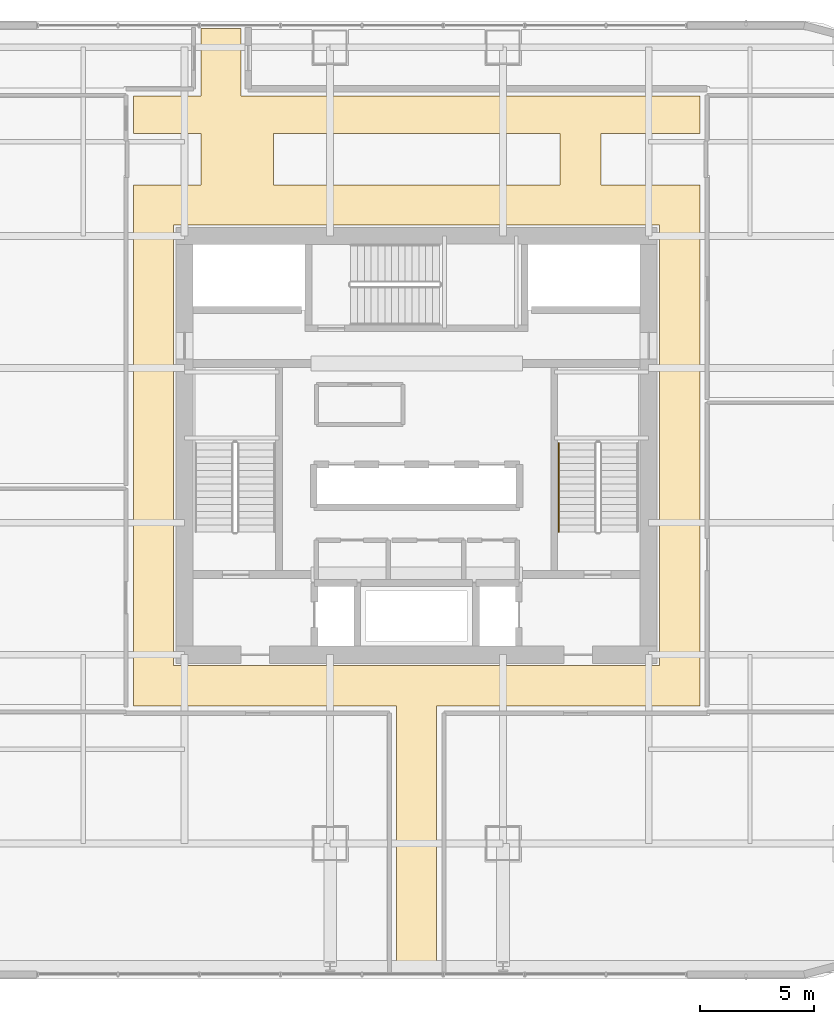
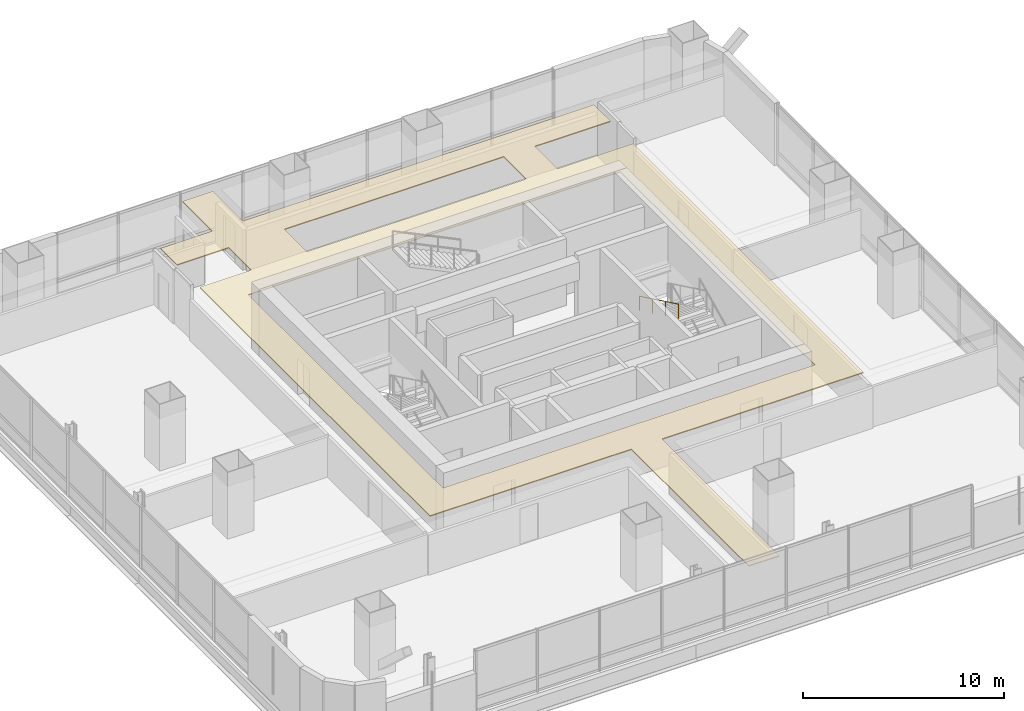
# One storey, part 37 of 45: 1 covering, 1 railing.
"""IFC4 building model written with IfcOpenShell, lengths in metres."""

from ifc_helpers import new_model, si_unit, direction, frame, origin, origin_2d, place, context, subcontext, project, spatial, polyline, circle, outline, extrude, material, layer, layer_set, type_object, element, save


model = new_model("IFC4")

# Units and contexts
model_context = context("Model", 3, precision=1e-05, world=origin(), true_north=direction((0.0, 1.0)))
body_context = subcontext(model_context, "Body", "Model", "MODEL_VIEW")
ifc_project = project(units=[si_unit("LENGTHUNIT", "METRE"), si_unit("AREAUNIT", "SQUARE_METRE"), si_unit("VOLUMEUNIT", "CUBIC_METRE"), si_unit("PLANEANGLEUNIT", "RADIAN"), si_unit("MASSUNIT", "GRAM", prefix="KILO")], contexts=[model_context])

# Site, building, storey
site_placement = place(None, origin())
site = spatial("IfcSite", under=ifc_project, at=site_placement, CompositionType="ELEMENT")
building_placement = place(site_placement, origin())
building = spatial("IfcBuilding", under=site, at=building_placement, Name="Punatoya Terracotta Tower", CompositionType="ELEMENT")
storey_placement = place(building_placement, frame((0.0, 0.0, 56.550048828125)))
storey = spatial("IfcBuildingStorey", under=building, at=storey_placement, Name="L12", CompositionType="ELEMENT", Elevation=56.550048828125)

# Covering
ifc_material_1 = material(Name="Acoustic Mineral Fibre Ceiling")
ifc_layer = layer(ifc_material_1, 0.06005859375)
ifc_layer_set = layer_set([ifc_layer], Name="Acoustic Mineral Fibre Ceiling")
covering_type = type_object("IfcCoveringType", Name="COV-CEIL-60", PredefinedType="CEILING", material=ifc_layer_set)
covering_placement = place(storey_placement, frame((0.0, 0.0, 3.199951171875)))
element("IfcCovering", 1, at=covering_placement, inside=storey, type_object=covering_type, Name="L12 Ring Circulation Corridor Acoustic Ceiling", PredefinedType="CEILING", context=body_context, shape_type="SweptSolid", body=[
    extrude(outline(polyline([(-0.8798828125, -11.449951171875), (-0.8798828125, -23.1298828125), (0.8798828125, -23.1298828125), (0.8798828125, -11.449951171875), (12.449951171875, -11.449951171875), (12.449951171875, 11.449951171875), (8.10009765625, 11.449951171875), (8.10009765625, 13.699951171875), (12.449951171875, 13.699951171875), (12.449951171875, 15.35009765625), (-7.719970703125, 15.35009765625), (-7.719970703125, 18.330078125), (-9.47998046875, 18.330078125), (-9.47998046875, 15.35009765625), (-12.449951171875, 15.35009765625), (-12.449951171875, 13.699951171875), (-9.47998046875, 13.699951171875), (-9.47998046875, 11.449951171875), (-12.449951171875, 11.449951171875), (-12.449951171875, -11.449951171875), (-0.8798828125, -11.449951171875)]), holes=[polyline([(10.679931640625, 9.679931640625), (10.679931640625, -9.679931640625), (-10.679931640625, -9.679931640625), (-10.679931640625, 9.679931640625), (10.679931640625, 9.679931640625)]), polyline([(6.300048828125, 11.449951171875), (-6.300048828125, 11.449951171875), (-6.300048828125, 13.699951171875), (6.300048828125, 13.699951171875), (6.300048828125, 11.449951171875)])]), origin(), (0.0, 0.0, 1.0), 0.06005859375),
])

# Railing
ifc_material_2 = material(Name="Steel S355", Category="steel")
railing_type = type_object("IfcRailingType", Name="RLG-HND-900", PredefinedType="HANDRAIL", material=ifc_material_2)
railing_placement = place(storey_placement, frame((6.25, 0.10009765625, 2.169677734375)))
element("IfcRailing", 2, at=railing_placement, inside=storey, type_object=railing_type, Name="L12 ST-2 stair handrail 2", PredefinedType="HANDRAIL", context=body_context, shape_type="SweptSolid", body=[
    extrude(circle(Radius=0.02392578125, at=origin_2d()), frame((0.0, 0.0, 0.8759765625), z_axis=(0.0, -0.900773802044, 0.434288564841), x_axis=(1.0, 0.0, 0.0)), (0.0, 0.0, 1.0), 4.329833984375),
    extrude(circle(Radius=0.02099609375, at=origin_2d()), origin(), (0.0, 0.0, 1.0), 0.851806640625),
    extrude(circle(Radius=0.02099609375, at=origin_2d()), frame((0.0, -1.300048828125, 0.626708984375)), (0.0, 0.0, 1.0), 0.851806640625),
    extrude(circle(Radius=0.02099609375, at=origin_2d()), frame((0.0, -2.60009765625, 1.253662109375)), (0.0, 0.0, 1.0), 0.851806640625),
    extrude(circle(Radius=0.02099609375, at=origin_2d()), frame((0.0, -3.900146484375, 1.88037109375)), (0.0, 0.0, 1.0), 0.851806640625),
])

save(model, "model.ifc")
